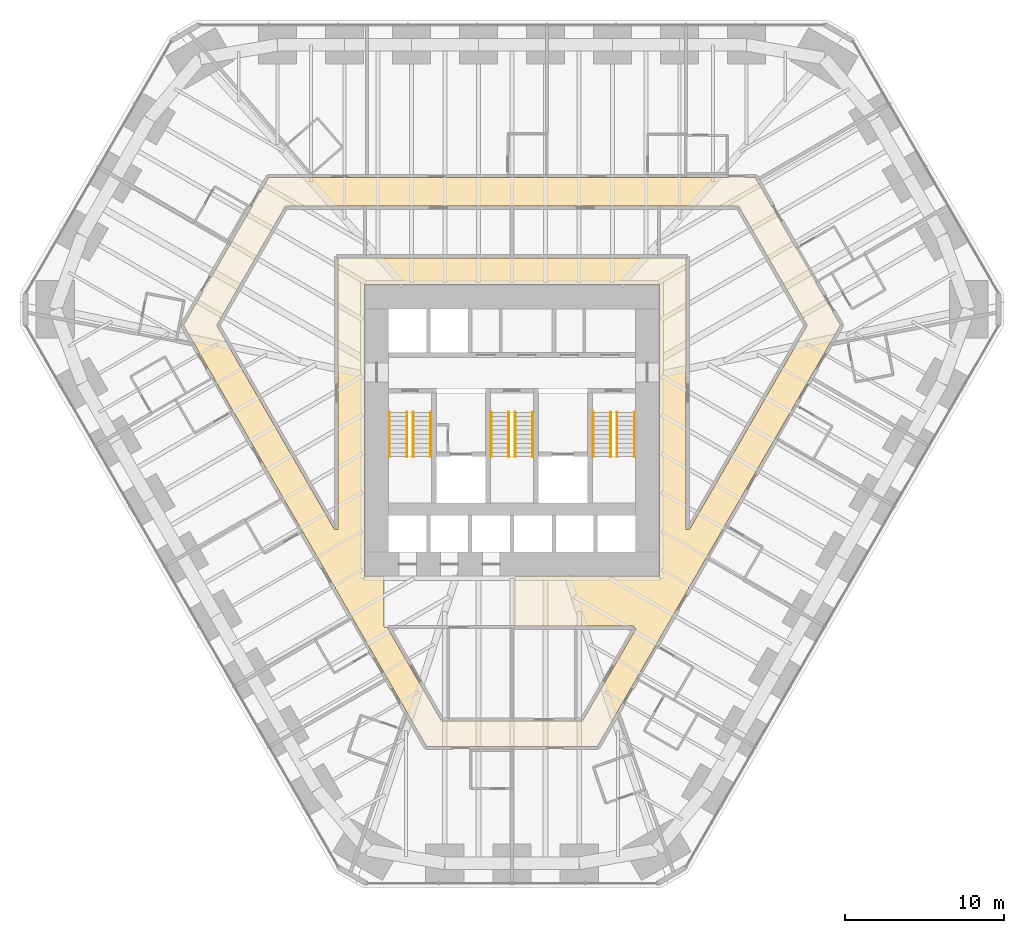
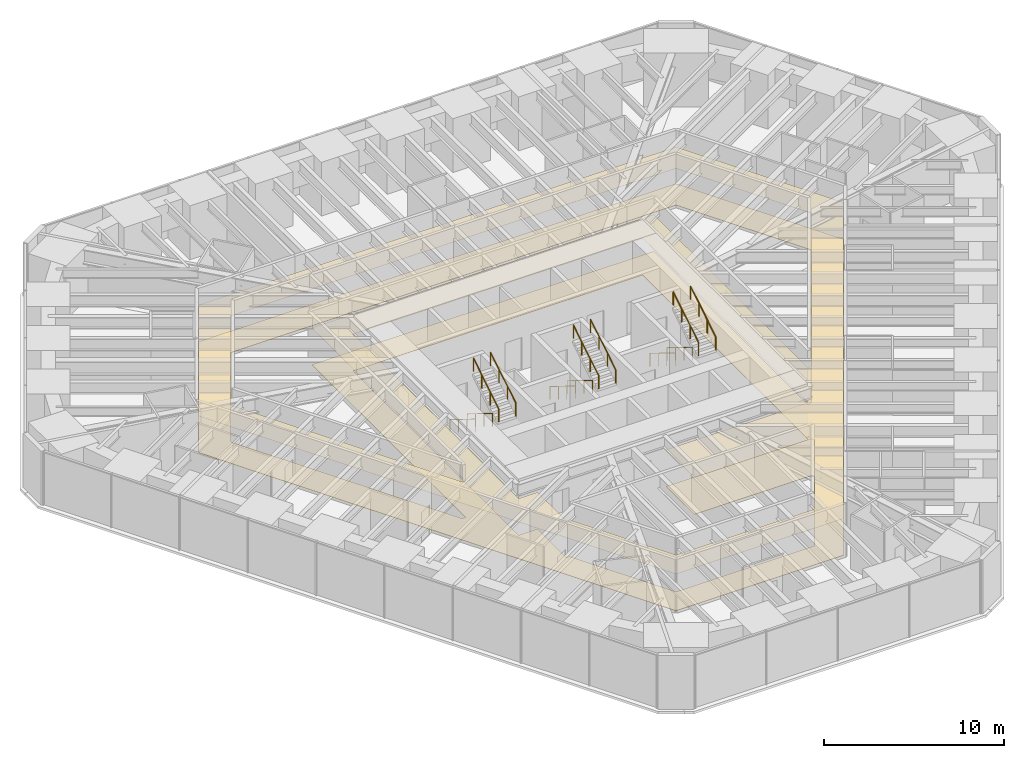
# One storey, part 17 of 17: 12 railings, 2 coverings.
"""IFC4 building model written with IfcOpenShell, lengths in metres."""

from ifc_helpers import new_model, si_unit, direction, frame, origin, origin_2d, place, context, subcontext, project, spatial, polyline, circle, outline, extrude, material, layer, layer_set, type_object, element, save


model = new_model("IFC4")

# Units and contexts
model_context = context("Model", 3, precision=1e-05, world=origin(), true_north=direction((0.0, 1.0)))
body_context = subcontext(model_context, "Body", "Model", "MODEL_VIEW")
ifc_project = project(units=[si_unit("LENGTHUNIT", "METRE"), si_unit("AREAUNIT", "SQUARE_METRE"), si_unit("VOLUMEUNIT", "CUBIC_METRE"), si_unit("PLANEANGLEUNIT", "RADIAN"), si_unit("MASSUNIT", "GRAM", prefix="KILO")], contexts=[model_context])

# Site, building, storey
site_placement = place(None, origin())
site = spatial("IfcSite", under=ifc_project, at=site_placement, CompositionType="ELEMENT")
building_placement = place(site_placement, origin())
building = spatial("IfcBuilding", under=site, at=building_placement, Name="Sandreach Pilgrim Tower", CompositionType="ELEMENT")
storey_placement = place(building_placement, frame((0.0, 0.0, 53.39990234375)))
storey = spatial("IfcBuildingStorey", under=building, at=storey_placement, Name="L12", CompositionType="ELEMENT", Elevation=53.39990234375)

# Covering
ifc_material_1 = material(Name="Gypsum board suspended ceiling on a steel grid", Category="steel")
ifc_layer_1 = layer(ifc_material_1, 0.012939453125)
ifc_layer_set_1 = layer_set([ifc_layer_1], Name="Gypsum board suspended ceiling")
covering_type_1 = type_object("IfcCoveringType", Name="Gypsum board suspended ceiling", PredefinedType="CEILING", material=ifc_layer_set_1)
covering_1_placement = place(storey_placement, frame((0.0, 0.0, 2.5)))
element("IfcCovering", 1, at=covering_1_placement, inside=storey, type_object=covering_type_1, Name="Ceiling 12C Corridor 12", PredefinedType="CEILING", context=body_context, shape_type="SweptSolid", body=[
    extrude(outline(polyline([(-5.3623046875, -21.409912109375), (-20.64453125, 5.059814453125), (-15.2822265625, 14.35009765625), (15.28173828125, 14.35009765625), (20.64453125, 5.06005859375), (5.3623046875, -21.409912109375), (-5.3623046875, -21.409912109375)]), holes=[polyline([(-11.16552734375, -7.760009765625), (-10.949951171875, -7.760009765625), (-10.949951171875, 9.300048828125), (10.949951171875, 9.300048828125), (10.949951171875, -7.760009765625), (11.16552734375, -7.760009765625), (18.5654296875, 5.06005859375), (14.247802734375, 12.550048828125), (-14.247802734375, 12.550048828125), (-18.5654296875, 5.06005859375), (-11.16552734375, -7.760009765625)]), polyline([(-8.050048828125, -10.719970703125), (-8.050048828125, -13.89990234375), (-7.8544921875, -13.89990234375), (-4.437744140625, -19.81005859375), (4.437744140625, -19.81005859375), (7.796630859375, -14.0), (7.635009765625, -13.85009765625), (0.179931640625, -13.85009765625), (0.175048828125, -10.719970703125), (9.27001953125, -10.719970703125), (9.27001953125, 7.6201171875), (-9.27001953125, 7.6201171875), (-9.27001953125, -10.719970703125), (-8.050048828125, -10.719970703125)])]), origin(), (0.0, 0.0, 1.0), 0.01318359375),
])

# Railings
ifc_material_2 = material(Name="Stainless steel tube", Category="steel")
railing_type = type_object("IfcRailingType", Name="Stair handrail", PredefinedType="HANDRAIL", material=ifc_material_2)
for number, where, name in (
    (2, (-6.60009765625, -0.39990234375, 0.1728515625), "Handrail ST1 L12 flight 1"),
    (3, (-7.699951171875, -0.39990234375, 0.1728515625), "Handrail ST1 L12 flight 1"),
):
    element("IfcRailing", number, at=place(storey_placement, frame(where)), inside=storey, type_object=railing_type, Name=name, PredefinedType="HANDRAIL", context=body_context, shape_type="SweptSolid", body=[
        extrude(circle(Radius=0.02392578125, at=origin_2d()), frame((0.0, 0.0, 0.8759765625), z_axis=(0.0, -0.851089632645, 0.525020415988), x_axis=(1.0, 0.0, 0.0)), (0.0, 0.0, 1.0), 3.2900390625),
        extrude(circle(Radius=0.02099609375, at=origin_2d()), origin(), (0.0, 0.0, 1.0), 0.851806640625),
        extrude(circle(Radius=0.02099609375, at=origin_2d()), frame((0.0, -0.933349609375, 0.57568359375)), (0.0, 0.0, 1.0), 0.851806640625),
        extrude(circle(Radius=0.02099609375, at=origin_2d()), frame((0.0, -1.86669921875, 1.151611328125)), (0.0, 0.0, 1.0), 0.851806640625),
        extrude(circle(Radius=0.02099609375, at=origin_2d()), frame((0.0, -2.800048828125, 1.727294921875)), (0.0, 0.0, 1.0), 0.851806640625),
    ])
for number, where, name in (
    (4, (-6.199951171875, -3.199951171875, 2.07275390625), "Handrail ST1 L12 flight 2"),
    (5, (-5.10009765625, -3.199951171875, 2.07275390625), "Handrail ST1 L12 flight 2"),
):
    element("IfcRailing", number, at=place(storey_placement, frame(where)), inside=storey, type_object=railing_type, Name=name, PredefinedType="HANDRAIL", context=body_context, shape_type="SweptSolid", body=[
        extrude(circle(Radius=0.02392578125, at=origin_2d()), frame((0.0, 0.0, 0.8759765625), z_axis=(0.0, 0.851089632645, 0.525020415988), x_axis=(-1.0, 0.0, 0.0)), (0.0, 0.0, 1.0), 3.2900390625),
        extrude(circle(Radius=0.02099609375, at=origin_2d()), origin(), (0.0, 0.0, 1.0), 0.851806640625),
        extrude(circle(Radius=0.02099609375, at=origin_2d()), frame((0.0, 0.933349609375, 0.57568359375)), (0.0, 0.0, 1.0), 0.851806640625),
        extrude(circle(Radius=0.02099609375, at=origin_2d()), frame((0.0, 1.86669921875, 1.151611328125)), (0.0, 0.0, 1.0), 0.851806640625),
        extrude(circle(Radius=0.02099609375, at=origin_2d()), frame((0.0, 2.800048828125, 1.727294921875)), (0.0, 0.0, 1.0), 0.851806640625),
    ])
for number, where, name in (
    (6, (-0.199951171875, -0.39990234375, 0.1728515625), "Handrail ST3 L12 flight 1"),
    (7, (-1.300048828125, -0.39990234375, 0.1728515625), "Handrail ST3 L12 flight 1"),
):
    element("IfcRailing", number, at=place(storey_placement, frame(where)), inside=storey, type_object=railing_type, Name=name, PredefinedType="HANDRAIL", context=body_context, shape_type="SweptSolid", body=[
        extrude(circle(Radius=0.02392578125, at=origin_2d()), frame((0.0, 0.0, 0.8759765625), z_axis=(0.0, -0.851089632645, 0.525020415988), x_axis=(1.0, 0.0, 0.0)), (0.0, 0.0, 1.0), 3.2900390625),
        extrude(circle(Radius=0.02099609375, at=origin_2d()), origin(), (0.0, 0.0, 1.0), 0.851806640625),
        extrude(circle(Radius=0.02099609375, at=origin_2d()), frame((0.0, -0.933349609375, 0.57568359375)), (0.0, 0.0, 1.0), 0.851806640625),
        extrude(circle(Radius=0.02099609375, at=origin_2d()), frame((0.0, -1.86669921875, 1.151611328125)), (0.0, 0.0, 1.0), 0.851806640625),
        extrude(circle(Radius=0.02099609375, at=origin_2d()), frame((0.0, -2.800048828125, 1.727294921875)), (0.0, 0.0, 1.0), 0.851806640625),
    ])
for number, where, name in (
    (8, (0.199951171875, -3.199951171875, 2.07275390625), "Handrail ST3 L12 flight 2"),
    (9, (1.300048828125, -3.199951171875, 2.07275390625), "Handrail ST3 L12 flight 2"),
):
    element("IfcRailing", number, at=place(storey_placement, frame(where)), inside=storey, type_object=railing_type, Name=name, PredefinedType="HANDRAIL", context=body_context, shape_type="SweptSolid", body=[
        extrude(circle(Radius=0.02392578125, at=origin_2d()), frame((0.0, 0.0, 0.8759765625), z_axis=(0.0, 0.851089632645, 0.525020415988), x_axis=(-1.0, 0.0, 0.0)), (0.0, 0.0, 1.0), 3.2900390625),
        extrude(circle(Radius=0.02099609375, at=origin_2d()), origin(), (0.0, 0.0, 1.0), 0.851806640625),
        extrude(circle(Radius=0.02099609375, at=origin_2d()), frame((0.0, 0.933349609375, 0.57568359375)), (0.0, 0.0, 1.0), 0.851806640625),
        extrude(circle(Radius=0.02099609375, at=origin_2d()), frame((0.0, 1.86669921875, 1.151611328125)), (0.0, 0.0, 1.0), 0.851806640625),
        extrude(circle(Radius=0.02099609375, at=origin_2d()), frame((0.0, 2.800048828125, 1.727294921875)), (0.0, 0.0, 1.0), 0.851806640625),
    ])
for number, where, name in (
    (10, (6.199951171875, -0.39990234375, 0.1728515625), "Handrail ST2 L12 flight 1"),
    (11, (5.10009765625, -0.39990234375, 0.1728515625), "Handrail ST2 L12 flight 1"),
):
    element("IfcRailing", number, at=place(storey_placement, frame(where)), inside=storey, type_object=railing_type, Name=name, PredefinedType="HANDRAIL", context=body_context, shape_type="SweptSolid", body=[
        extrude(circle(Radius=0.02392578125, at=origin_2d()), frame((0.0, 0.0, 0.8759765625), z_axis=(0.0, -0.851089632645, 0.525020415988), x_axis=(1.0, 0.0, 0.0)), (0.0, 0.0, 1.0), 3.2900390625),
        extrude(circle(Radius=0.02099609375, at=origin_2d()), origin(), (0.0, 0.0, 1.0), 0.851806640625),
        extrude(circle(Radius=0.02099609375, at=origin_2d()), frame((0.0, -0.933349609375, 0.57568359375)), (0.0, 0.0, 1.0), 0.851806640625),
        extrude(circle(Radius=0.02099609375, at=origin_2d()), frame((0.0, -1.86669921875, 1.151611328125)), (0.0, 0.0, 1.0), 0.851806640625),
        extrude(circle(Radius=0.02099609375, at=origin_2d()), frame((0.0, -2.800048828125, 1.727294921875)), (0.0, 0.0, 1.0), 0.851806640625),
    ])
for number, where, name in (
    (12, (6.60009765625, -3.199951171875, 2.07275390625), "Handrail ST2 L12 flight 2"),
    (13, (7.699951171875, -3.199951171875, 2.07275390625), "Handrail ST2 L12 flight 2"),
):
    element("IfcRailing", number, at=place(storey_placement, frame(where)), inside=storey, type_object=railing_type, Name=name, PredefinedType="HANDRAIL", context=body_context, shape_type="SweptSolid", body=[
        extrude(circle(Radius=0.02392578125, at=origin_2d()), frame((0.0, 0.0, 0.8759765625), z_axis=(0.0, 0.851089632645, 0.525020415988), x_axis=(-1.0, 0.0, 0.0)), (0.0, 0.0, 1.0), 3.2900390625),
        extrude(circle(Radius=0.02099609375, at=origin_2d()), origin(), (0.0, 0.0, 1.0), 0.851806640625),
        extrude(circle(Radius=0.02099609375, at=origin_2d()), frame((0.0, 0.933349609375, 0.57568359375)), (0.0, 0.0, 1.0), 0.851806640625),
        extrude(circle(Radius=0.02099609375, at=origin_2d()), frame((0.0, 1.86669921875, 1.151611328125)), (0.0, 0.0, 1.0), 0.851806640625),
        extrude(circle(Radius=0.02099609375, at=origin_2d()), frame((0.0, 2.800048828125, 1.727294921875)), (0.0, 0.0, 1.0), 0.851806640625),
    ])

# Covering
ifc_material_3 = material(Name="Cement terrazzo, ground and polished", Category="terrazzo")
ifc_layer_2 = layer(ifc_material_3, 0.02490234375)
ifc_layer_set_2 = layer_set([ifc_layer_2], Name="Terrazzo")
covering_type_2 = type_object("IfcCoveringType", Name="Terrazzo", PredefinedType="FLOORING", material=ifc_layer_set_2)
covering_2_placement = place(storey_placement, origin())
element("IfcCovering", 14, at=covering_2_placement, inside=storey, type_object=covering_type_2, Name="Floor finish 12C Corridor 12", PredefinedType="FLOORING", context=body_context, shape_type="SweptSolid", body=[
    extrude(outline(polyline([(-5.3623046875, -21.409912109375), (-20.64453125, 5.059814453125), (-15.2822265625, 14.35009765625), (15.28173828125, 14.35009765625), (20.64453125, 5.06005859375), (5.3623046875, -21.409912109375), (-5.3623046875, -21.409912109375)]), holes=[polyline([(-11.16552734375, -7.760009765625), (-10.949951171875, -7.760009765625), (-10.949951171875, 9.300048828125), (10.949951171875, 9.300048828125), (10.949951171875, -7.760009765625), (11.16552734375, -7.760009765625), (18.5654296875, 5.06005859375), (14.247802734375, 12.550048828125), (-14.247802734375, 12.550048828125), (-18.5654296875, 5.06005859375), (-11.16552734375, -7.760009765625)]), polyline([(-8.050048828125, -10.719970703125), (-8.050048828125, -13.89990234375), (-7.8544921875, -13.89990234375), (-4.437744140625, -19.81005859375), (4.437744140625, -19.81005859375), (7.796630859375, -14.0), (7.635009765625, -13.85009765625), (0.179931640625, -13.85009765625), (0.175048828125, -10.719970703125), (9.27001953125, -10.719970703125), (9.27001953125, 7.6201171875), (-9.27001953125, 7.6201171875), (-9.27001953125, -10.719970703125), (-8.050048828125, -10.719970703125)])]), origin(), (0.0, 0.0, 1.0), 0.025146484375),
])

save(model, "model.ifc")
